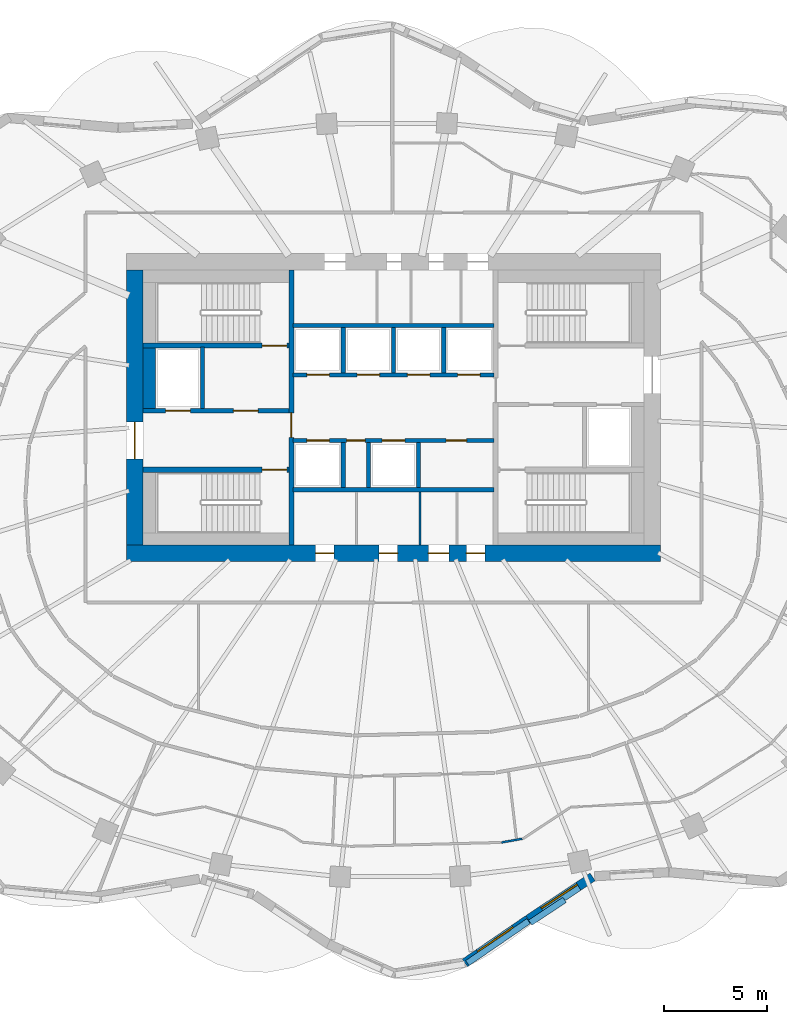
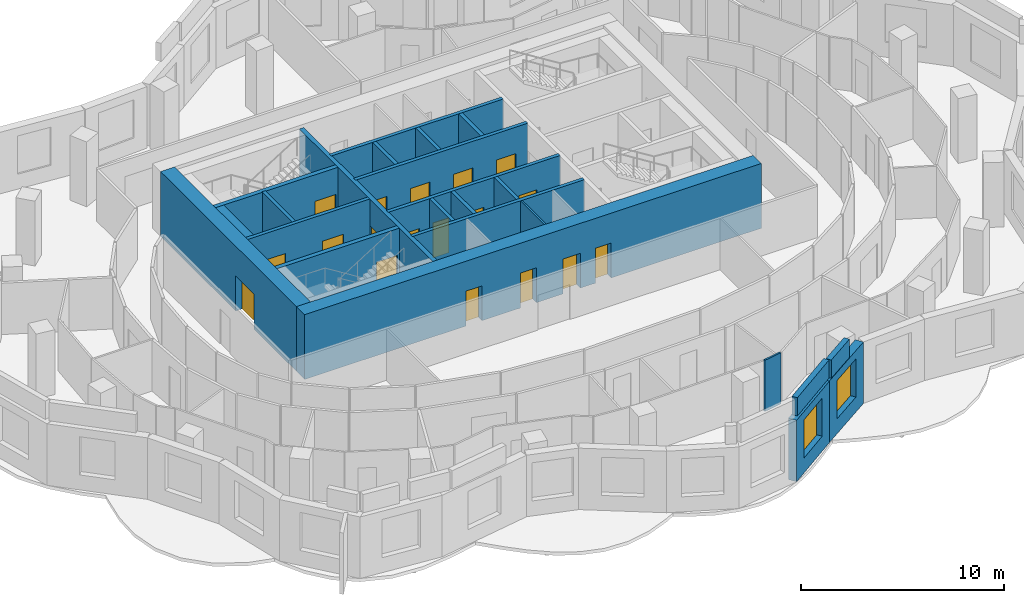
# One storey, part 5 of 11: 24 walls, 18 doors, 2 windows, 20 openings.
"""IFC4 building model written with IfcOpenShell, lengths in metres."""

from ifc_helpers import new_model, si_unit, direction, frame, frame_2d, origin, place, context, subcontext, project, spatial, rectangle, extrude, material, layer, layer_set, type_object, element, fill, save


model = new_model("IFC4")

# Units and contexts
model_context = context("Model", 3, precision=1e-05, world=origin(), true_north=direction((0.0, 1.0)))
body_context = subcontext(model_context, "Body", "Model", "MODEL_VIEW")
ifc_project = project(units=[si_unit("LENGTHUNIT", "METRE"), si_unit("AREAUNIT", "SQUARE_METRE"), si_unit("VOLUMEUNIT", "CUBIC_METRE"), si_unit("PLANEANGLEUNIT", "RADIAN"), si_unit("MASSUNIT", "GRAM", prefix="KILO")], contexts=[model_context])

# Site, building, storey
site_placement = place(None, origin())
site = spatial("IfcSite", under=ifc_project, at=site_placement, CompositionType="ELEMENT")
building_placement = place(site_placement, origin())
building = spatial("IfcBuilding", under=site, at=building_placement, Name="Rubra Terraces Tower", CompositionType="ELEMENT")
storey_placement = place(building_placement, frame((0.0, 0.0, 185.699951171875)))
storey = spatial("IfcBuildingStorey", under=building, at=storey_placement, Name="L45", CompositionType="ELEMENT", Elevation=185.699951171875)

# Wall, opening, window
ifc_material_1 = material(Name="Brick masonry red-brown", Category="masonry")
ifc_layer_1 = layer(ifc_material_1, 0.449951171875)
ifc_layer_set_1 = layer_set([ifc_layer_1], Name="Brick masonry red-brown")
wall_type_1 = type_object("IfcWallType", Name="Brick facade wall 450", PredefinedType="SOLIDWALL", material=ifc_layer_set_1)
wall_1_placement = place(storey_placement, frame((3.478515625, -22.559814453125, 0.0), z_axis=(0.0, 0.0, 1.0), x_axis=(0.824722766417, 0.565537230033, 0.0)))
wall_1 = element("IfcWall", 1, at=wall_1_placement, inside=storey, type_object=wall_type_1, Name="Facade wall L45 bay 32", PredefinedType="SOLIDWALL", context=body_context, shape_type="SweptSolid", body=[
    extrude(rectangle(XDim=3.742431640625, YDim=0.449951171875, at=frame_2d((1.87109375, 0.0))), origin(), (0.0, 0.0, 1.0), 3.699951171875),
])
opening_1_placement = place(wall_1_placement, frame((0.8212890625, 0.0, 0.89990234375)))
opening_1 = element("IfcOpeningElement", 2, at=opening_1_placement, cuts=wall_1, Name="Opening W1B", PredefinedType="OPENING", context=body_context, shape_type="SweptSolid", body=[
    extrude(rectangle(XDim=2.10009765625, YDim=2.300048828125, at=frame_2d((1.050048828125, 1.14990234375))), frame((0.0, 0.23486328125, 0.0), z_axis=(0.0, -1.0, 0.0), x_axis=(1.0, 0.0, 0.0)), (0.0, 0.0, 1.0), 0.469970703125),
])
ifc_material_2 = material(Name="Clear glass in aluminium frame", Category="aluminium")
window_type = type_object("IfcWindowType", Name="Fixed deep-set window tall storey 2100 x 2300", PartitioningType="SINGLE_PANEL", PredefinedType="WINDOW", material=ifc_material_2)
window_1_placement = place(opening_1_placement, origin())
window_1 = element("IfcWindow", 3, at=window_1_placement, inside=storey, type_object=window_type, Name="Window L45 bay 32", OverallHeight=2.300048828125, OverallWidth=2.10009765625, PartitioningType="SINGLE_PANEL", PredefinedType="WINDOW", context=body_context, shape_type="SweptSolid", body=[
    extrude(rectangle(XDim=2.10009765625, YDim=2.300048828125, at=frame_2d((1.050048828125, 1.14990234375))), frame((0.0, 0.135009765625, 0.0), z_axis=(0.0, -1.0, 0.0), x_axis=(1.0, 0.0, 0.0)), (0.0, 0.0, 1.0), 0.06005859375),
])
fill(opening_1, window_1)

wall_2_placement = place(storey_placement, frame((6.568115234375, -20.44140625, 0.0), z_axis=(0.0, 0.0, 1.0), x_axis=(0.834034214531, 0.551712723246, 0.0)))
wall_2 = element("IfcWall", 4, at=wall_2_placement, inside=storey, type_object=wall_type_1, Name="Facade wall L45 bay 33", PredefinedType="SOLIDWALL", context=body_context, shape_type="SweptSolid", body=[
    extrude(rectangle(XDim=3.75732421875, YDim=0.449951171875, at=frame_2d((1.878662109375, 0.0))), origin(), (0.0, 0.0, 1.0), 3.699951171875),
])
opening_2_placement = place(wall_2_placement, frame((0.82861328125, 0.0, 0.89990234375)))
opening_2 = element("IfcOpeningElement", 5, at=opening_2_placement, cuts=wall_2, Name="Opening W1B", PredefinedType="OPENING", context=body_context, shape_type="SweptSolid", body=[
    extrude(rectangle(XDim=2.10009765625, YDim=2.300048828125, at=frame_2d((1.050048828125, 1.14990234375))), frame((0.0, 0.23486328125, 0.0), z_axis=(0.0, -1.0, 0.0), x_axis=(1.0, 0.0, 0.0)), (0.0, 0.0, 1.0), 0.469970703125),
])
window_2_placement = place(opening_2_placement, origin())
window_2 = element("IfcWindow", 6, at=window_2_placement, inside=storey, type_object=window_type, Name="Window L45 bay 33", OverallHeight=2.300048828125, OverallWidth=2.10009765625, PartitioningType="SINGLE_PANEL", PredefinedType="WINDOW", context=body_context, shape_type="SweptSolid", body=[
    extrude(rectangle(XDim=2.10009765625, YDim=2.300048828125, at=frame_2d((1.050048828125, 1.14990234375))), frame((0.0, 0.135009765625, 0.0), z_axis=(0.0, -1.0, 0.0), x_axis=(1.0, 0.0, 0.0)), (0.0, 0.0, 1.0), 0.06005859375),
])
fill(opening_2, window_2)

# Walls
ifc_layer_2 = layer(ifc_material_1, 0.300048828125)
ifc_layer_set_2 = layer_set([ifc_layer_2], Name="Brick masonry red-brown")
wall_type_2 = type_object("IfcWallType", Name="Brick parapet 300", PredefinedType="PARAPET", material=ifc_layer_set_2)
wall_3_placement = place(storey_placement, frame((3.59912109375, -22.56787109375, 3.900146484375), z_axis=(0.0, 0.0, 1.0), x_axis=(0.82476034254, 0.565482428881, 0.0)))
element("IfcWall", 7, at=wall_3_placement, inside=storey, type_object=wall_type_2, Name="Parapet L45 bay 32", PredefinedType="PARAPET", context=body_context, shape_type="SweptSolid", body=[
    extrude(rectangle(XDim=3.61572265625, YDim=0.300048828125, at=frame_2d((1.807861328125, 0.0))), origin(), (0.0, 0.0, 1.0), 1.099853515625),
])
wall_4_placement = place(storey_placement, frame((6.665283203125, -20.593017578125, 3.900146484375), z_axis=(0.0, 0.0, 1.0), x_axis=(0.834027642059, 0.551722658843, 0.0)))
element("IfcWall", 8, at=wall_4_placement, inside=storey, type_object=wall_type_2, Name="Parapet L45 bay 33", PredefinedType="PARAPET", context=body_context, shape_type="SweptSolid", body=[
    extrude(rectangle(XDim=2.008056640625, YDim=0.300048828125, at=frame_2d((1.00390625, 0.0))), origin(), (0.0, 0.0, 1.0), 1.099853515625),
])

# Wall, openings, doors
ifc_material_3 = material(Name="Concrete C50", Category="concrete")
ifc_layer_3 = layer(ifc_material_3, 0.800048828125)
ifc_layer_set_3 = layer_set([ifc_layer_3], Name="Concrete C50")
wall_type_3 = type_object("IfcWallType", Name="CORE WALL 800 C50", PredefinedType="SHEAR", material=ifc_layer_set_3)
wall_5_placement = place(storey_placement, frame((-13.0, -2.60009765625, 0.0), z_axis=(0.0, 0.0, 1.0), x_axis=(1.0, 0.0, 0.0)))
wall_5 = element("IfcWall", 9, at=wall_5_placement, inside=storey, type_object=wall_type_3, Name="CORE WALL S L45", PredefinedType="SHEAR", context=body_context, shape_type="SweptSolid", body=[
    extrude(rectangle(XDim=26.0, YDim=0.800048828125, at=frame_2d((13.0, 0.0))), origin(), (0.0, 0.0, 1.0), 3.900146484375),
])
opening_3_placement = place(wall_5_placement, frame((9.199951171875, 0.0, 0.0)))
opening_3 = element("IfcOpeningElement", 10, at=opening_3_placement, cuts=wall_5, Name="Opening L45.C21", PredefinedType="OPENING", context=body_context, shape_type="SweptSolid", body=[
    extrude(rectangle(XDim=0.89990234375, YDim=2.10009765625, at=frame_2d((0.449951171875, 1.050048828125))), frame((0.0, 0.409912109375, 0.0), z_axis=(0.0, -1.0, 0.0), x_axis=(1.0, 0.0, 0.0)), (0.0, 0.0, 1.0), 0.820068359375),
])
opening_4_placement = place(wall_5_placement, frame((12.300048828125, 0.0, 0.0)))
opening_4 = element("IfcOpeningElement", 11, at=opening_4_placement, cuts=wall_5, Name="Opening L45.C22", PredefinedType="OPENING", context=body_context, shape_type="SweptSolid", body=[
    extrude(rectangle(XDim=0.89990234375, YDim=2.10009765625, at=frame_2d((0.449951171875, 1.050048828125))), frame((0.0, 0.409912109375, 0.0), z_axis=(0.0, -1.0, 0.0), x_axis=(1.0, 0.0, 0.0)), (0.0, 0.0, 1.0), 0.820068359375),
])
opening_5_placement = place(wall_5_placement, frame((14.699951171875, 0.0, 0.0)))
opening_5 = element("IfcOpeningElement", 12, at=opening_5_placement, cuts=wall_5, Name="Opening L45.C23", PredefinedType="OPENING", context=body_context, shape_type="SweptSolid", body=[
    extrude(rectangle(XDim=1.0, YDim=2.10009765625, at=frame_2d((0.5, 1.050048828125))), frame((0.0, 0.409912109375, 0.0), z_axis=(0.0, -1.0, 0.0), x_axis=(1.0, 0.0, 0.0)), (0.0, 0.0, 1.0), 0.820068359375),
])
opening_6_placement = place(wall_5_placement, frame((16.550048828125, 0.0, 0.0)))
opening_6 = element("IfcOpeningElement", 13, at=opening_6_placement, cuts=wall_5, Name="Opening L45.C24", PredefinedType="OPENING", context=body_context, shape_type="SweptSolid", body=[
    extrude(rectangle(XDim=0.89990234375, YDim=2.10009765625, at=frame_2d((0.449951171875, 1.050048828125))), frame((0.0, 0.409912109375, 0.0), z_axis=(0.0, -1.0, 0.0), x_axis=(1.0, 0.0, 0.0)), (0.0, 0.0, 1.0), 0.820068359375),
])
ifc_material_4 = material(Name="Painted steel", Category="steel")
door_type_1 = type_object("IfcDoorType", Name="Fire door 1000x2100 single", OperationType="NOTDEFINED", PredefinedType="DOOR", material=ifc_material_4)
door_1_placement = place(opening_5_placement, origin())
door_1 = element("IfcDoor", 14, at=door_1_placement, inside=storey, type_object=door_type_1, Name="Accessible WC door", OperationType="SINGLE_SWING_LEFT", OverallHeight=2.10009765625, OverallWidth=1.0, PredefinedType="DOOR", context=body_context, shape_type="SweptSolid", body=[
    extrude(rectangle(XDim=1.0, YDim=2.10009765625, at=frame_2d((0.5, 1.050048828125))), frame((0.0, 0.02490234375, 0.0), z_axis=(0.0, -1.0, 0.0), x_axis=(1.0, 0.0, 0.0)), (0.0, 0.0, 1.0), 0.050048828125),
])
fill(opening_5, door_1)
door_type_2 = type_object("IfcDoorType", Name="Fire door 900x2100 single", OperationType="NOTDEFINED", PredefinedType="DOOR", material=ifc_material_4)
door_2_placement = place(opening_3_placement, origin())
door_2 = element("IfcDoor", 15, at=door_2_placement, inside=storey, type_object=door_type_2, Name="Gents WC door", OperationType="SINGLE_SWING_LEFT", OverallHeight=2.10009765625, OverallWidth=0.89990234375, PredefinedType="DOOR", context=body_context, shape_type="SweptSolid", body=[
    extrude(rectangle(XDim=0.89990234375, YDim=2.10009765625, at=frame_2d((0.449951171875, 1.050048828125))), frame((0.0, 0.02490234375, 0.0), z_axis=(0.0, -1.0, 0.0), x_axis=(1.0, 0.0, 0.0)), (0.0, 0.0, 1.0), 0.050048828125),
])
fill(opening_3, door_2)
door_3_placement = place(opening_4_placement, origin())
door_3 = element("IfcDoor", 16, at=door_3_placement, inside=storey, type_object=door_type_2, Name="Ladies WC door", OperationType="SINGLE_SWING_RIGHT", OverallHeight=2.10009765625, OverallWidth=0.89990234375, PredefinedType="DOOR", context=body_context, shape_type="SweptSolid", body=[
    extrude(rectangle(XDim=0.89990234375, YDim=2.10009765625, at=frame_2d((0.449951171875, 1.050048828125))), frame((0.0, 0.02490234375, 0.0), z_axis=(0.0, -1.0, 0.0), x_axis=(1.0, 0.0, 0.0)), (0.0, 0.0, 1.0), 0.050048828125),
])
fill(opening_4, door_3)
door_4_placement = place(opening_6_placement, origin())
door_4 = element("IfcDoor", 17, at=door_4_placement, inside=storey, type_object=door_type_2, Name="Cleaner's store door", OperationType="SINGLE_SWING_RIGHT", OverallHeight=2.10009765625, OverallWidth=0.89990234375, PredefinedType="DOOR", context=body_context, shape_type="SweptSolid", body=[
    extrude(rectangle(XDim=0.89990234375, YDim=2.10009765625, at=frame_2d((0.449951171875, 1.050048828125))), frame((0.0, 0.02490234375, 0.0), z_axis=(0.0, -1.0, 0.0), x_axis=(1.0, 0.0, 0.0)), (0.0, 0.0, 1.0), 0.050048828125),
])
fill(opening_6, door_4)

# Wall, opening, door
wall_6_placement = place(storey_placement, frame((-12.60009765625, -2.199951171875, 0.0), z_axis=(0.0, 0.0, 1.0), x_axis=(0.0, 1.0, 0.0)))
wall_6 = element("IfcWall", 18, at=wall_6_placement, inside=storey, type_object=wall_type_3, Name="CORE WALL W L45", PredefinedType="SHEAR", context=body_context, shape_type="SweptSolid", body=[
    extrude(rectangle(XDim=13.39990234375, YDim=0.800048828125, at=frame_2d((6.699951171875, 0.0))), origin(), (0.0, 0.0, 1.0), 3.900146484375),
])
opening_7_placement = place(wall_6_placement, frame((4.199951171875, 0.0, 0.0)))
opening_7 = element("IfcOpeningElement", 19, at=opening_7_placement, cuts=wall_6, Name="Opening L45.C01", PredefinedType="OPENING", context=body_context, shape_type="SweptSolid", body=[
    extrude(rectangle(XDim=1.800048828125, YDim=2.10009765625, at=frame_2d((0.89990234375, 1.050048828125))), frame((0.0, 0.409912109375, 0.0), z_axis=(0.0, -1.0, 0.0), x_axis=(1.0, 0.0, 0.0)), (0.0, 0.0, 1.0), 0.820068359375),
])
door_type_3 = type_object("IfcDoorType", Name="Fire door 1800x2100 double", OperationType="NOTDEFINED", PredefinedType="DOOR", material=ifc_material_4)
door_5_placement = place(opening_7_placement, origin())
door_5 = element("IfcDoor", 20, at=door_5_placement, inside=storey, type_object=door_type_3, Name="Core entrance door FF1", OperationType="DOUBLE_DOOR_SINGLE_SWING", OverallHeight=2.10009765625, OverallWidth=1.800048828125, PredefinedType="DOOR", context=body_context, shape_type="SweptSolid", body=[
    extrude(rectangle(XDim=1.800048828125, YDim=2.10009765625, at=frame_2d((0.89990234375, 1.050048828125))), frame((0.0, 0.02490234375, 0.0), z_axis=(0.0, -1.0, 0.0), x_axis=(1.0, 0.0, 0.0)), (0.0, 0.0, 1.0), 0.050048828125),
])
fill(opening_7, door_5)

# Wall
ifc_material_5 = material(Name="Concrete C40", Category="concrete")
ifc_layer_4 = layer(ifc_material_5, 0.60009765625)
ifc_layer_set_4 = layer_set([ifc_layer_4], Name="Concrete C40")
wall_type_4 = type_object("IfcWallType", Name="Core lining wall 600 concrete", PredefinedType="SOLIDWALL", material=ifc_layer_set_4)
wall_7_placement = place(storey_placement, frame((-11.89990234375, 4.449951171875, 0.0), z_axis=(0.0, 0.0, 1.0), x_axis=(0.0, 1.0, 0.0)))
element("IfcWall", 21, at=wall_7_placement, inside=storey, type_object=wall_type_4, Name="CORE LINING WALL L45", PredefinedType="SOLIDWALL", context=body_context, shape_type="SweptSolid", body=[
    extrude(rectangle(XDim=3.0, YDim=0.60009765625, at=frame_2d((1.5, 0.0))), origin(), (0.0, 0.0, 1.0), 3.699951171875),
])

# Wall, openings, doors
ifc_material_6 = material(Name="Concrete C30", Category="concrete")
ifc_layer_5 = layer(ifc_material_6, 0.199951171875)
ifc_layer_set_5 = layer_set([ifc_layer_5], Name="Concrete C30")
wall_type_5 = type_object("IfcWallType", Name="Core wall 200 concrete", PredefinedType="SOLIDWALL", material=ifc_layer_set_5)
wall_8_placement = place(storey_placement, frame((-12.199951171875, 4.35009765625, 0.0), z_axis=(0.0, 0.0, 1.0), x_axis=(1.0, 0.0, 0.0)))
wall_8 = element("IfcWall", 22, at=wall_8_placement, inside=storey, type_object=wall_type_5, Name="STAIR WALL L45", PredefinedType="SOLIDWALL", context=body_context, shape_type="SweptSolid", body=[
    extrude(rectangle(XDim=7.099853515625, YDim=0.199951171875, at=frame_2d((3.5498046875, 0.0))), origin(), (0.0, 0.0, 1.0), 3.699951171875),
])
opening_8_placement = place(wall_8_placement, frame((4.39990234375, 0.0, 0.0)))
opening_8 = element("IfcOpeningElement", 23, at=opening_8_placement, cuts=wall_8, Name="Opening L45.C05", PredefinedType="OPENING", context=body_context, shape_type="SweptSolid", body=[
    extrude(rectangle(XDim=1.199951171875, YDim=2.10009765625, at=frame_2d((0.60009765625, 1.050048828125))), frame((0.0, 0.10986328125, 0.0), z_axis=(0.0, -1.0, 0.0), x_axis=(1.0, 0.0, 0.0)), (0.0, 0.0, 1.0), 0.219970703125),
])
opening_9_placement = place(wall_8_placement, frame((1.10009765625, 0.0, 0.0)))
opening_9 = element("IfcOpeningElement", 24, at=opening_9_placement, cuts=wall_8, Name="Opening L45.C11", PredefinedType="OPENING", context=body_context, shape_type="SweptSolid", body=[
    extrude(rectangle(XDim=1.199951171875, YDim=2.10009765625, at=frame_2d((0.60009765625, 1.050048828125))), frame((0.0, 0.10986328125, 0.0), z_axis=(0.0, -1.0, 0.0), x_axis=(1.0, 0.0, 0.0)), (0.0, 0.0, 1.0), 0.219970703125),
])
door_type_4 = type_object("IfcDoorType", Name="Fire door 1200x2100 single", OperationType="NOTDEFINED", PredefinedType="DOOR", material=ifc_material_4)
door_6_placement = place(opening_8_placement, origin())
door_6 = element("IfcDoor", 25, at=door_6_placement, inside=storey, type_object=door_type_4, Name="Stair vestibule door S2", OperationType="SINGLE_SWING_LEFT", OverallHeight=2.10009765625, OverallWidth=1.199951171875, PredefinedType="DOOR", context=body_context, shape_type="SweptSolid", body=[
    extrude(rectangle(XDim=1.199951171875, YDim=2.10009765625, at=frame_2d((0.60009765625, 1.050048828125))), frame((0.0, 0.02490234375, 0.0), z_axis=(0.0, -1.0, 0.0), x_axis=(1.0, 0.0, 0.0)), (0.0, 0.0, 1.0), 0.050048828125),
])
fill(opening_8, door_6)
ifc_material_7 = material(Name="Stainless steel", Category="steel")
door_type_5 = type_object("IfcDoorType", Name="Lift landing door 1200x2100", OperationType="NOTDEFINED", PredefinedType="DOOR", material=ifc_material_7)
door_7_placement = place(opening_9_placement, origin())
door_7 = element("IfcDoor", 26, at=door_7_placement, inside=storey, type_object=door_type_5, Name="Landing door FF1", OperationType="SLIDING_TO_RIGHT", OverallHeight=2.10009765625, OverallWidth=1.199951171875, PredefinedType="DOOR", context=body_context, shape_type="SweptSolid", body=[
    extrude(rectangle(XDim=1.199951171875, YDim=2.10009765625, at=frame_2d((0.60009765625, 1.050048828125))), frame((0.0, 0.02490234375, 0.0), z_axis=(0.0, -1.0, 0.0), x_axis=(1.0, 0.0, 0.0)), (0.0, 0.0, 1.0), 0.050048828125),
])
fill(opening_9, door_7)

# Walls
wall_9_placement = place(storey_placement, frame((-9.300048828125, 4.449951171875, 0.0), z_axis=(0.0, 0.0, 1.0), x_axis=(0.0, 1.0, 0.0)))
element("IfcWall", 27, at=wall_9_placement, inside=storey, type_object=wall_type_5, Name="STAIR WALL L45", PredefinedType="SOLIDWALL", context=body_context, shape_type="SweptSolid", body=[
    extrude(rectangle(XDim=3.0, YDim=0.199951171875, at=frame_2d((1.5, 0.0))), origin(), (0.0, 0.0, 1.0), 3.699951171875),
])
wall_10_placement = place(storey_placement, frame((-4.89990234375, 0.5, 0.0), z_axis=(0.0, 0.0, 1.0), x_axis=(1.0, 0.0, 0.0)))
element("IfcWall", 28, at=wall_10_placement, inside=storey, type_object=wall_type_5, Name="LIFT SHAFT WALL L45", PredefinedType="SOLIDWALL", context=body_context, shape_type="SweptSolid", body=[
    extrude(rectangle(XDim=9.7998046875, YDim=0.199951171875, at=frame_2d((4.89990234375, 0.0))), origin(), (0.0, 0.0, 1.0), 3.699951171875),
])

# Wall, openings, doors
wall_11_placement = place(storey_placement, frame((-4.89990234375, 2.89990234375, 0.0), z_axis=(0.0, 0.0, 1.0), x_axis=(1.0, 0.0, 0.0)))
wall_11 = element("IfcWall", 29, at=wall_11_placement, inside=storey, type_object=wall_type_5, Name="LIFT SHAFT WALL L45", PredefinedType="SOLIDWALL", context=body_context, shape_type="SweptSolid", body=[
    extrude(rectangle(XDim=9.7998046875, YDim=0.199951171875, at=frame_2d((4.89990234375, 0.0))), origin(), (0.0, 0.0, 1.0), 3.699951171875),
])
opening_10_placement = place(wall_11_placement, frame((0.675048828125, 0.0, 0.0)))
opening_10 = element("IfcOpeningElement", 30, at=opening_10_placement, cuts=wall_11, Name="Opening L45.C13", PredefinedType="OPENING", context=body_context, shape_type="SweptSolid", body=[
    extrude(rectangle(XDim=1.10009765625, YDim=2.10009765625, at=frame_2d((0.550048828125, 1.050048828125))), frame((0.0, 0.10986328125, 0.0), z_axis=(0.0, -1.0, 0.0), x_axis=(1.0, 0.0, 0.0)), (0.0, 0.0, 1.0), 0.219970703125),
])
opening_11_placement = place(wall_11_placement, frame((2.613037109375, 0.0, 0.0)))
opening_11 = element("IfcOpeningElement", 31, at=opening_11_placement, cuts=wall_11, Name="Opening L45.C14", PredefinedType="OPENING", context=body_context, shape_type="SweptSolid", body=[
    extrude(rectangle(XDim=0.89990234375, YDim=2.10009765625, at=frame_2d((0.449951171875, 1.050048828125))), frame((0.0, 0.10986328125, 0.0), z_axis=(0.0, -1.0, 0.0), x_axis=(1.0, 0.0, 0.0)), (0.0, 0.0, 1.0), 0.219970703125),
])
opening_12_placement = place(wall_11_placement, frame((4.35009765625, 0.0, 0.0)))
opening_12 = element("IfcOpeningElement", 32, at=opening_12_placement, cuts=wall_11, Name="Opening L45.C15", PredefinedType="OPENING", context=body_context, shape_type="SweptSolid", body=[
    extrude(rectangle(XDim=1.10009765625, YDim=2.10009765625, at=frame_2d((0.550048828125, 1.050048828125))), frame((0.0, 0.10986328125, 0.0), z_axis=(0.0, -1.0, 0.0), x_axis=(1.0, 0.0, 0.0)), (0.0, 0.0, 1.0), 0.219970703125),
])
opening_13_placement = place(wall_11_placement, frame((7.462890625, 0.0, 0.0)))
opening_13 = element("IfcOpeningElement", 33, at=opening_13_placement, cuts=wall_11, Name="Opening L45.C16", PredefinedType="OPENING", context=body_context, shape_type="SweptSolid", body=[
    extrude(rectangle(XDim=1.0, YDim=2.10009765625, at=frame_2d((0.5, 1.050048828125))), frame((0.0, 0.10986328125, 0.0), z_axis=(0.0, -1.0, 0.0), x_axis=(1.0, 0.0, 0.0)), (0.0, 0.0, 1.0), 0.219970703125),
])
door_8_placement = place(opening_13_placement, origin())
door_8 = element("IfcDoor", 34, at=door_8_placement, inside=storey, type_object=door_type_1, Name="Ice and vending room door", OperationType="SINGLE_SWING_RIGHT", OverallHeight=2.10009765625, OverallWidth=1.0, PredefinedType="DOOR", context=body_context, shape_type="SweptSolid", body=[
    extrude(rectangle(XDim=1.0, YDim=2.10009765625, at=frame_2d((0.5, 1.050048828125))), frame((0.0, 0.02490234375, 0.0), z_axis=(0.0, -1.0, 0.0), x_axis=(1.0, 0.0, 0.0)), (0.0, 0.0, 1.0), 0.050048828125),
])
fill(opening_13, door_8)
door_9_placement = place(opening_11_placement, origin())
door_9 = element("IfcDoor", 35, at=door_9_placement, inside=storey, type_object=door_type_2, Name="Cleaner's store door", OperationType="SINGLE_SWING_RIGHT", OverallHeight=2.10009765625, OverallWidth=0.89990234375, PredefinedType="DOOR", context=body_context, shape_type="SweptSolid", body=[
    extrude(rectangle(XDim=0.89990234375, YDim=2.10009765625, at=frame_2d((0.449951171875, 1.050048828125))), frame((0.0, 0.02490234375, 0.0), z_axis=(0.0, -1.0, 0.0), x_axis=(1.0, 0.0, 0.0)), (0.0, 0.0, 1.0), 0.050048828125),
])
fill(opening_11, door_9)
door_type_6 = type_object("IfcDoorType", Name="Lift landing door 1100x2100", OperationType="NOTDEFINED", PredefinedType="DOOR", material=ifc_material_7)
door_10_placement = place(opening_10_placement, origin())
door_10 = element("IfcDoor", 36, at=door_10_placement, inside=storey, type_object=door_type_6, Name="Landing door HB1", OperationType="SLIDING_TO_RIGHT", OverallHeight=2.10009765625, OverallWidth=1.10009765625, PredefinedType="DOOR", context=body_context, shape_type="SweptSolid", body=[
    extrude(rectangle(XDim=1.10009765625, YDim=2.10009765625, at=frame_2d((0.550048828125, 1.050048828125))), frame((0.0, 0.02490234375, 0.0), z_axis=(0.0, -1.0, 0.0), x_axis=(1.0, 0.0, 0.0)), (0.0, 0.0, 1.0), 0.050048828125),
])
fill(opening_10, door_10)
door_11_placement = place(opening_12_placement, origin())
door_11 = element("IfcDoor", 37, at=door_11_placement, inside=storey, type_object=door_type_6, Name="Landing door HB2", OperationType="SLIDING_TO_LEFT", OverallHeight=2.10009765625, OverallWidth=1.10009765625, PredefinedType="DOOR", context=body_context, shape_type="SweptSolid", body=[
    extrude(rectangle(XDim=1.10009765625, YDim=2.10009765625, at=frame_2d((0.550048828125, 1.050048828125))), frame((0.0, 0.02490234375, 0.0), z_axis=(0.0, -1.0, 0.0), x_axis=(1.0, 0.0, 0.0)), (0.0, 0.0, 1.0), 0.050048828125),
])
fill(opening_12, door_11)

wall_12_placement = place(storey_placement, frame((-4.89990234375, 6.10009765625, 0.0), z_axis=(0.0, 0.0, 1.0), x_axis=(1.0, 0.0, 0.0)))
wall_12 = element("IfcWall", 38, at=wall_12_placement, inside=storey, type_object=wall_type_5, Name="LIFT SHAFT WALL L45", PredefinedType="SOLIDWALL", context=body_context, shape_type="SweptSolid", body=[
    extrude(rectangle(XDim=9.7998046875, YDim=0.199951171875, at=frame_2d((4.89990234375, 0.0))), origin(), (0.0, 0.0, 1.0), 3.699951171875),
])
opening_14_placement = place(wall_12_placement, frame((0.675048828125, 0.0, 0.0)))
opening_14 = element("IfcOpeningElement", 39, at=opening_14_placement, cuts=wall_12, Name="Opening L45.C17", PredefinedType="OPENING", context=body_context, shape_type="SweptSolid", body=[
    extrude(rectangle(XDim=1.10009765625, YDim=2.10009765625, at=frame_2d((0.550048828125, 1.050048828125))), frame((0.0, 0.10986328125, 0.0), z_axis=(0.0, -1.0, 0.0), x_axis=(1.0, 0.0, 0.0)), (0.0, 0.0, 1.0), 0.219970703125),
])
opening_15_placement = place(wall_12_placement, frame((3.125, 0.0, 0.0)))
opening_15 = element("IfcOpeningElement", 40, at=opening_15_placement, cuts=wall_12, Name="Opening L45.C18", PredefinedType="OPENING", context=body_context, shape_type="SweptSolid", body=[
    extrude(rectangle(XDim=1.10009765625, YDim=2.10009765625, at=frame_2d((0.550048828125, 1.050048828125))), frame((0.0, 0.10986328125, 0.0), z_axis=(0.0, -1.0, 0.0), x_axis=(1.0, 0.0, 0.0)), (0.0, 0.0, 1.0), 0.219970703125),
])
opening_16_placement = place(wall_12_placement, frame((5.574951171875, 0.0, 0.0)))
opening_16 = element("IfcOpeningElement", 41, at=opening_16_placement, cuts=wall_12, Name="Opening L45.C19", PredefinedType="OPENING", context=body_context, shape_type="SweptSolid", body=[
    extrude(rectangle(XDim=1.10009765625, YDim=2.10009765625, at=frame_2d((0.550048828125, 1.050048828125))), frame((0.0, 0.10986328125, 0.0), z_axis=(0.0, -1.0, 0.0), x_axis=(1.0, 0.0, 0.0)), (0.0, 0.0, 1.0), 0.219970703125),
])
opening_17_placement = place(wall_12_placement, frame((8.02490234375, 0.0, 0.0)))
opening_17 = element("IfcOpeningElement", 42, at=opening_17_placement, cuts=wall_12, Name="Opening L45.C20", PredefinedType="OPENING", context=body_context, shape_type="SweptSolid", body=[
    extrude(rectangle(XDim=1.10009765625, YDim=2.10009765625, at=frame_2d((0.550048828125, 1.050048828125))), frame((0.0, 0.10986328125, 0.0), z_axis=(0.0, -1.0, 0.0), x_axis=(1.0, 0.0, 0.0)), (0.0, 0.0, 1.0), 0.219970703125),
])
door_12_placement = place(opening_14_placement, origin())
door_12 = element("IfcDoor", 43, at=door_12_placement, inside=storey, type_object=door_type_6, Name="Landing door HB3", OperationType="SLIDING_TO_RIGHT", OverallHeight=2.10009765625, OverallWidth=1.10009765625, PredefinedType="DOOR", context=body_context, shape_type="SweptSolid", body=[
    extrude(rectangle(XDim=1.10009765625, YDim=2.10009765625, at=frame_2d((0.550048828125, 1.050048828125))), frame((0.0, 0.02490234375, 0.0), z_axis=(0.0, -1.0, 0.0), x_axis=(1.0, 0.0, 0.0)), (0.0, 0.0, 1.0), 0.050048828125),
])
fill(opening_14, door_12)
door_13_placement = place(opening_15_placement, origin())
door_13 = element("IfcDoor", 44, at=door_13_placement, inside=storey, type_object=door_type_6, Name="Landing door HB4", OperationType="SLIDING_TO_LEFT", OverallHeight=2.10009765625, OverallWidth=1.10009765625, PredefinedType="DOOR", context=body_context, shape_type="SweptSolid", body=[
    extrude(rectangle(XDim=1.10009765625, YDim=2.10009765625, at=frame_2d((0.550048828125, 1.050048828125))), frame((0.0, 0.02490234375, 0.0), z_axis=(0.0, -1.0, 0.0), x_axis=(1.0, 0.0, 0.0)), (0.0, 0.0, 1.0), 0.050048828125),
])
fill(opening_15, door_13)
door_14_placement = place(opening_16_placement, origin())
door_14 = element("IfcDoor", 45, at=door_14_placement, inside=storey, type_object=door_type_6, Name="Landing door HB5", OperationType="SLIDING_TO_RIGHT", OverallHeight=2.10009765625, OverallWidth=1.10009765625, PredefinedType="DOOR", context=body_context, shape_type="SweptSolid", body=[
    extrude(rectangle(XDim=1.10009765625, YDim=2.10009765625, at=frame_2d((0.550048828125, 1.050048828125))), frame((0.0, 0.02490234375, 0.0), z_axis=(0.0, -1.0, 0.0), x_axis=(1.0, 0.0, 0.0)), (0.0, 0.0, 1.0), 0.050048828125),
])
fill(opening_16, door_14)
door_15_placement = place(opening_17_placement, origin())
door_15 = element("IfcDoor", 46, at=door_15_placement, inside=storey, type_object=door_type_6, Name="Landing door HB6", OperationType="SLIDING_TO_LEFT", OverallHeight=2.10009765625, OverallWidth=1.10009765625, PredefinedType="DOOR", context=body_context, shape_type="SweptSolid", body=[
    extrude(rectangle(XDim=1.10009765625, YDim=2.10009765625, at=frame_2d((0.550048828125, 1.050048828125))), frame((0.0, 0.02490234375, 0.0), z_axis=(0.0, -1.0, 0.0), x_axis=(1.0, 0.0, 0.0)), (0.0, 0.0, 1.0), 0.050048828125),
])
fill(opening_17, door_15)

# Walls
wall_13_placement = place(storey_placement, frame((-4.89990234375, 8.5, 0.0), z_axis=(0.0, 0.0, 1.0), x_axis=(1.0, 0.0, 0.0)))
element("IfcWall", 47, at=wall_13_placement, inside=storey, type_object=wall_type_5, Name="LIFT SHAFT WALL L45", PredefinedType="SOLIDWALL", context=body_context, shape_type="SweptSolid", body=[
    extrude(rectangle(XDim=9.7998046875, YDim=0.199951171875, at=frame_2d((4.89990234375, 0.0))), origin(), (0.0, 0.0, 1.0), 3.699951171875),
])
for number, where, z_axis, x_axis, name in (
    (48, (-2.449951171875, 0.60009765625, 0.0), (0.0, 0.0, 1.0), (0.0, 1.0, 0.0), "LIFT SHAFT WALL L45"),
    (49, (-1.22509765625, 0.60009765625, 0.0), (0.0, 0.0, 1.0), (0.0, 1.0, 0.0), "LIFT SHAFT WALL L45"),
    (50, (1.22509765625, 0.60009765625, 0.0), (0.0, 0.0, 1.0), (0.0, 1.0, 0.0), "LIFT SHAFT WALL L45"),
    (51, (-2.449951171875, 6.199951171875, 0.0), (0.0, 0.0, 1.0), (0.0, 1.0, 0.0), "LIFT SHAFT WALL L45"),
    (52, (0.0, 6.199951171875, 0.0), (0.0, 0.0, 1.0), (0.0, 1.0, 0.0), "LIFT SHAFT WALL L45"),
    (53, (2.449951171875, 6.199951171875, 0.0), (0.0, 0.0, 1.0), (0.0, 1.0, 0.0), "LIFT SHAFT WALL L45"),
):
    element("IfcWall", number, at=place(storey_placement, frame(where, z_axis=z_axis, x_axis=x_axis)), inside=storey, type_object=wall_type_5, Name=name, PredefinedType="SOLIDWALL", context=body_context, shape_type="SweptSolid", body=[
        extrude(rectangle(XDim=2.199951171875, YDim=0.199951171875, at=frame_2d((1.10009765625, 0.0))), origin(), (0.0, 0.0, 1.0), 3.699951171875),
    ])
ifc_material_8 = material(Name="Plasterboard on steel stud", Category="steel")
ifc_layer_6 = layer(ifc_material_8, 0.10009765625)
ifc_layer_set_6 = layer_set([ifc_layer_6], Name="Plasterboard on steel stud")
wall_type_6 = type_object("IfcWallType", Name="ROOM PARTITION 100", PredefinedType="PARTITIONING", material=ifc_layer_set_6)
wall_14_placement = place(storey_placement, frame((6.2705078125, -16.508056640625, 0.0), z_axis=(0.0, 0.0, 1.0), x_axis=(-0.984643798133, -0.174575458752, 0.0)))
element("IfcWall", 54, at=wall_14_placement, inside=storey, type_object=wall_type_6, Name="PARTITION", PredefinedType="PARTITIONING", context=body_context, shape_type="SweptSolid", body=[
    extrude(rectangle(XDim=1.022216796875, YDim=0.10009765625, at=frame_2d((0.51123046875, 0.0))), origin(), (0.0, 0.0, 1.0), 3.083984375),
])
ifc_material_9 = material(Name="Blockwork", Category="masonry")
ifc_layer_7 = layer(ifc_material_9, 0.10009765625)
ifc_layer_set_7 = layer_set([ifc_layer_7], Name="Blockwork")
wall_type_7 = type_object("IfcWallType", Name="Service partition 100 blockwork", PredefinedType="PARTITIONING", material=ifc_layer_set_7)
wall_15_placement = place(storey_placement, frame((1.300048828125, -2.199951171875, 0.0), z_axis=(0.0, 0.0, 1.0), x_axis=(0.0, 1.0, 0.0)))
element("IfcWall", 55, at=wall_15_placement, inside=storey, type_object=wall_type_7, Name="SERVICE ROOM PARTITION L45", PredefinedType="PARTITIONING", context=body_context, shape_type="SweptSolid", body=[
    extrude(rectangle(XDim=2.599853515625, YDim=0.10009765625, at=frame_2d((1.2998046875, 0.0))), origin(), (0.0, 0.0, 1.0), 3.699951171875),
])

# Wall, opening, door
ifc_layer_8 = layer(ifc_material_5, 0.25)
ifc_layer_set_8 = layer_set([ifc_layer_8], Name="Concrete C40")
wall_type_8 = type_object("IfcWallType", Name="Stair enclosure wall 250 concrete", PredefinedType="SOLIDWALL", material=ifc_layer_set_8)
wall_16_placement = place(storey_placement, frame((-12.199951171875, 1.47509765625, 0.0), z_axis=(0.0, 0.0, 1.0), x_axis=(1.0, 0.0, 0.0)))
wall_16 = element("IfcWall", 56, at=wall_16_placement, inside=storey, type_object=wall_type_8, Name="STAIR WALL L45", PredefinedType="SOLIDWALL", context=body_context, shape_type="SweptSolid", body=[
    extrude(rectangle(XDim=7.099853515625, YDim=0.25, at=frame_2d((3.5498046875, 0.0))), origin(), (0.0, 0.0, 1.0), 3.699951171875),
])
opening_18_placement = place(wall_16_placement, frame((5.800048828125, 0.0, 0.0)))
opening_18 = element("IfcOpeningElement", 57, at=opening_18_placement, cuts=wall_16, Name="Opening L45.C07", PredefinedType="OPENING", context=body_context, shape_type="SweptSolid", body=[
    extrude(rectangle(XDim=1.199951171875, YDim=2.10009765625, at=frame_2d((0.60009765625, 1.050048828125))), frame((0.0, 0.135009765625, 0.0), z_axis=(0.0, -1.0, 0.0), x_axis=(1.0, 0.0, 0.0)), (0.0, 0.0, 1.0), 0.27001953125),
])
door_16_placement = place(opening_18_placement, origin())
door_16 = element("IfcDoor", 58, at=door_16_placement, inside=storey, type_object=door_type_4, Name="Stair door S1", OperationType="SINGLE_SWING_LEFT", OverallHeight=2.10009765625, OverallWidth=1.199951171875, PredefinedType="DOOR", context=body_context, shape_type="SweptSolid", body=[
    extrude(rectangle(XDim=1.199951171875, YDim=2.10009765625, at=frame_2d((0.60009765625, 1.050048828125))), frame((0.0, 0.02490234375, 0.0), z_axis=(0.0, -1.0, 0.0), x_axis=(1.0, 0.0, 0.0)), (0.0, 0.0, 1.0), 0.050048828125),
])
fill(opening_18, door_16)

wall_17_placement = place(storey_placement, frame((-12.199951171875, 7.52490234375, 0.0), z_axis=(0.0, 0.0, 1.0), x_axis=(1.0, 0.0, 0.0)))
wall_17 = element("IfcWall", 59, at=wall_17_placement, inside=storey, type_object=wall_type_8, Name="STAIR WALL L45", PredefinedType="SOLIDWALL", context=body_context, shape_type="SweptSolid", body=[
    extrude(rectangle(XDim=7.099853515625, YDim=0.25, at=frame_2d((3.5498046875, 0.0))), origin(), (0.0, 0.0, 1.0), 3.699951171875),
])
opening_19_placement = place(wall_17_placement, frame((5.800048828125, 0.0, 0.0)))
opening_19 = element("IfcOpeningElement", 60, at=opening_19_placement, cuts=wall_17, Name="Opening L45.C09", PredefinedType="OPENING", context=body_context, shape_type="SweptSolid", body=[
    extrude(rectangle(XDim=1.199951171875, YDim=2.10009765625, at=frame_2d((0.60009765625, 1.050048828125))), frame((0.0, 0.135009765625, 0.0), z_axis=(0.0, -1.0, 0.0), x_axis=(1.0, 0.0, 0.0)), (0.0, 0.0, 1.0), 0.27001953125),
])
door_17_placement = place(opening_19_placement, origin())
door_17 = element("IfcDoor", 61, at=door_17_placement, inside=storey, type_object=door_type_4, Name="Stair door S2", OperationType="SINGLE_SWING_LEFT", OverallHeight=2.10009765625, OverallWidth=1.199951171875, PredefinedType="DOOR", context=body_context, shape_type="SweptSolid", body=[
    extrude(rectangle(XDim=1.199951171875, YDim=2.10009765625, at=frame_2d((0.60009765625, 1.050048828125))), frame((0.0, 0.02490234375, 0.0), z_axis=(0.0, -1.0, 0.0), x_axis=(1.0, 0.0, 0.0)), (0.0, 0.0, 1.0), 0.050048828125),
])
fill(opening_19, door_17)

wall_18_placement = place(storey_placement, frame((-4.97509765625, -2.199951171875, 0.0), z_axis=(0.0, 0.0, 1.0), x_axis=(0.0, 1.0, 0.0)))
wall_18 = element("IfcWall", 62, at=wall_18_placement, inside=storey, type_object=wall_type_8, Name="CORE LOBBY WALL L45", PredefinedType="SOLIDWALL", context=body_context, shape_type="SweptSolid", body=[
    extrude(rectangle(XDim=13.39990234375, YDim=0.25, at=frame_2d((6.699951171875, 0.0))), origin(), (0.0, 0.0, 1.0), 3.699951171875),
])
opening_20_placement = place(wall_18_placement, frame((5.25, 0.0, 0.0)))
opening_20 = element("IfcOpeningElement", 63, at=opening_20_placement, cuts=wall_18, Name="Opening L45.C03", PredefinedType="OPENING", context=body_context, shape_type="SweptSolid", body=[
    extrude(rectangle(XDim=1.199951171875, YDim=2.10009765625, at=frame_2d((0.60009765625, 1.050048828125))), frame((0.0, 0.135009765625, 0.0), z_axis=(0.0, -1.0, 0.0), x_axis=(1.0, 0.0, 0.0)), (0.0, 0.0, 1.0), 0.27001953125),
])
door_18_placement = place(opening_20_placement, origin())
door_18 = element("IfcDoor", 64, at=door_18_placement, inside=storey, type_object=door_type_4, Name="Firefighting lobby door FF1", OperationType="SINGLE_SWING_LEFT", OverallHeight=2.10009765625, OverallWidth=1.199951171875, PredefinedType="DOOR", context=body_context, shape_type="SweptSolid", body=[
    extrude(rectangle(XDim=1.199951171875, YDim=2.10009765625, at=frame_2d((0.60009765625, 1.050048828125))), frame((0.0, 0.02490234375, 0.0), z_axis=(0.0, -1.0, 0.0), x_axis=(1.0, 0.0, 0.0)), (0.0, 0.0, 1.0), 0.050048828125),
])
fill(opening_20, door_18)

save(model, "model.ifc")
